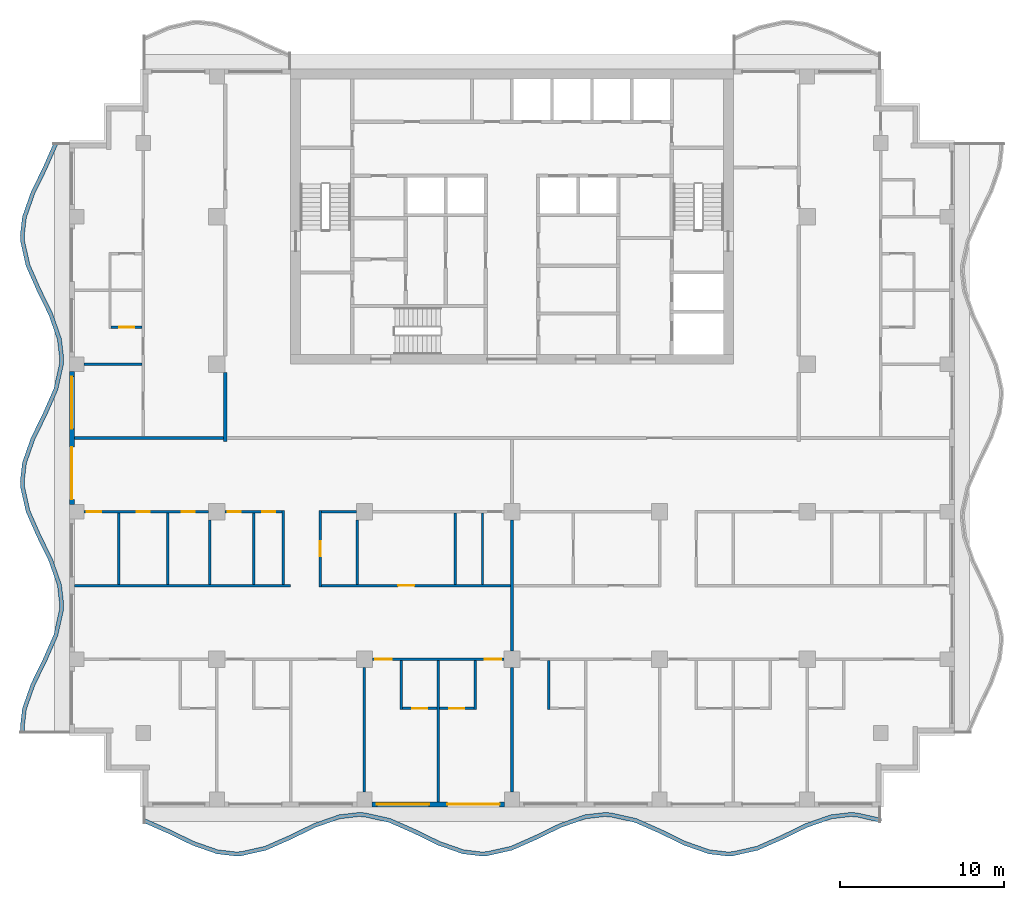
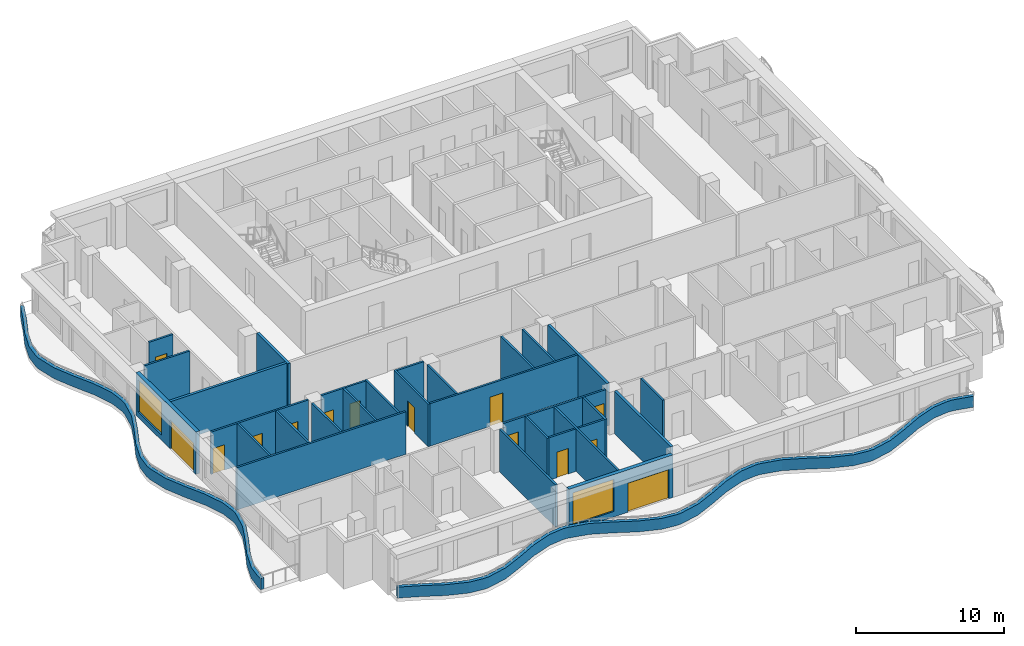
# One storey, part 2 of 11: 32 walls, 14 doors, 2 windows, 16 openings.
"""IFC4 building model written with IfcOpenShell, lengths in metres."""

from ifc_helpers import new_model, si_unit, direction, frame, frame_2d, origin, place, context, subcontext, project, spatial, polyline, rectangle, outline, extrude, material, layer, layer_set, type_object, element, fill, save


model = new_model("IFC4")

# Units and contexts
model_context = context("Model", 3, precision=1e-05, world=origin(), true_north=direction((0.0, 1.0)))
body_context = subcontext(model_context, "Body", "Model", "MODEL_VIEW")
ifc_project = project(units=[si_unit("LENGTHUNIT", "METRE"), si_unit("AREAUNIT", "SQUARE_METRE"), si_unit("VOLUMEUNIT", "CUBIC_METRE"), si_unit("PLANEANGLEUNIT", "RADIAN"), si_unit("MASSUNIT", "GRAM", prefix="KILO")], contexts=[model_context])

# Site, building, storey
site_placement = place(None, origin())
site = spatial("IfcSite", under=ifc_project, at=site_placement, CompositionType="ELEMENT")
building_placement = place(site_placement, origin())
building = spatial("IfcBuilding", under=site, at=building_placement, Name="Orbiselva Terraces", CompositionType="ELEMENT")
storey_placement = place(building_placement, frame((0.0, 0.0, 238.8)))
storey = spatial("IfcBuildingStorey", under=building, at=storey_placement, Name="L60", CompositionType="ELEMENT", Elevation=238.8)

# Walls
ifc_material_1 = material(Name="Concrete C40/50", Category="concrete")
ifc_layer_1 = layer(ifc_material_1, 0.25)
ifc_layer_set_1 = layer_set([ifc_layer_1], Name="Concrete C40/50")
wall_type_1 = type_object("IfcWallType", Name="ENV-PLANTER-250x900", PredefinedType="USERDEFINED", material=ifc_layer_set_1)
wall_1_placement = place(storey_placement, origin())
element("IfcWall", 1, at=wall_1_placement, inside=storey, type_object=wall_type_1, Name="Balcony planter L60 S", ObjectType="PLANTER", PredefinedType="USERDEFINED", context=body_context, shape_type="SweptSolid", body=[
    extrude(outline(polyline([(-22.5, -23.451472), (-21.0, -24.112279), (-19.5, -24.844789), (-18.0, -25.369208), (-16.875, -25.5), (-16.5, -25.485226), (-15.0, -25.148528), (-13.5, -24.487721), (-12.0, -23.755211), (-10.5, -23.230792), (-9.375, -23.1), (-9.0, -23.114774), (-7.5, -23.451472), (-6.0, -24.112279), (-4.5, -24.844789), (-3.0, -25.369208), (-1.875, -25.5), (-1.5, -25.485226), (0.0, -25.148528), (1.5, -24.487721), (3.0, -23.755211), (4.5, -23.230792), (5.625, -23.1), (6.0, -23.114774), (7.5, -23.451472), (9.0, -24.112279), (10.5, -24.844789), (12.0, -25.369208), (13.125, -25.5), (13.5, -25.485226), (15.0, -25.148528), (16.5, -24.487721), (18.0, -23.755211), (19.5, -23.230792), (20.625, -23.1), (21.0, -23.114774), (22.5, -23.451472), (22.554754, -23.207542), (21.032565, -22.865863), (20.615428, -22.849429), (19.443629, -22.985662), (17.90356, -23.524089), (16.394714, -24.260919), (14.921492, -24.90993), (13.467435, -25.236315), (13.134572, -25.249429), (12.056371, -25.124078), (10.59644, -24.613667), (9.105286, -23.885477), (7.578508, -23.212874), (6.032565, -22.865863), (5.615428, -22.849429), (4.443629, -22.985662), (2.90356, -23.524089), (1.394714, -24.260919), (-0.078508, -24.90993), (-1.532565, -25.236315), (-1.865428, -25.249429), (-2.943629, -25.124078), (-4.40356, -24.613667), (-5.894714, -23.885477), (-7.421492, -23.212874), (-8.967435, -22.865863), (-9.384572, -22.849429), (-10.556371, -22.985662), (-12.09644, -23.524089), (-13.605286, -24.260919), (-15.078508, -24.90993), (-16.532565, -25.236315), (-16.865428, -25.249429), (-17.943629, -25.124078), (-19.40356, -24.613667), (-20.894714, -23.885477), (-22.399212, -23.222689), (-22.5, -23.451472)])), origin(), (0.0, 0.0, 1.0), 0.9),
])
wall_2_placement = place(storey_placement, origin())
element("IfcWall", 2, at=wall_2_placement, inside=storey, type_object=wall_type_1, Name="Balcony planter L60 W", ObjectType="PLANTER", PredefinedType="USERDEFINED", context=body_context, shape_type="SweptSolid", body=[
    extrude(outline(polyline([(-27.951472, 18.0), (-28.612279, 16.5), (-29.344789, 15.0), (-29.869208, 13.5), (-30.0, 12.375), (-29.985226, 12.0), (-29.648528, 10.5), (-28.987721, 9.0), (-28.255211, 7.5), (-27.730792, 6.0), (-27.6, 4.875), (-27.614774, 4.5), (-27.951472, 3.0), (-28.612279, 1.5), (-29.344789, 0.0), (-29.869208, -1.5), (-30.0, -2.625), (-29.985226, -3.0), (-29.648528, -4.5), (-28.987721, -6.0), (-28.255211, -7.5), (-27.730792, -9.0), (-27.6, -10.125), (-27.614774, -10.5), (-27.951472, -12.0), (-28.612279, -13.5), (-29.344789, -15.0), (-29.869208, -16.5), (-30.0, -17.625), (-29.985226, -18.0), (-29.73542, -17.990158), (-29.749429, -17.634572), (-29.624078, -16.556371), (-29.113667, -15.09644), (-28.385477, -13.605286), (-27.712874, -12.078508), (-27.365863, -10.532565), (-27.349429, -10.115428), (-27.485662, -8.943629), (-28.024089, -7.40356), (-28.760919, -5.894714), (-29.40993, -4.421492), (-29.736315, -2.967435), (-29.749429, -2.634572), (-29.624078, -1.556371), (-29.113667, -0.09644), (-28.385477, 1.394714), (-27.712874, 2.921492), (-27.365863, 4.467435), (-27.349429, 4.884572), (-27.485662, 6.056371), (-28.024089, 7.59644), (-28.760919, 9.105286), (-29.40993, 10.578508), (-29.736315, 12.032565), (-29.749429, 12.365428), (-29.624078, 13.443629), (-29.113667, 14.90356), (-28.385477, 16.394714), (-27.722689, 17.899212), (-27.951472, 18.0)])), origin(), (0.0, 0.0, 1.0), 0.9),
])

# Wall, openings, door, window
ifc_material_2 = material(Name="Terracotta cladding on masonry backing", Category="masonry")
ifc_layer_2 = layer(ifc_material_2, 0.3)
ifc_layer_set_2 = layer_set([ifc_layer_2], Name="Terracotta cladding on masonry backing")
wall_type_2 = type_object("IfcWallType", Name="ENV-WALL-TERRACOTTA-300", PredefinedType="SOLIDWALL", material=ifc_layer_set_2)
wall_3_placement = place(storey_placement, frame((-0.45, -22.35, 0.0), z_axis=(0.0, 0.0, 1.0), x_axis=(-1.0, 0.0, 0.0)))
wall_3 = element("IfcWall", 3, at=wall_3_placement, inside=storey, type_object=wall_type_2, Name="Facade wall L60 S", PredefinedType="SOLIDWALL", context=body_context, shape_type="SweptSolid", body=[
    extrude(rectangle(XDim=8.1, YDim=0.3, at=frame_2d((4.05, 0.0))), origin(), (0.0, 0.0, 1.0), 3.5),
])
opening_1_placement = place(wall_3_placement, frame((4.6, 0.0, 0.45)))
opening_1 = element("IfcOpeningElement", 4, at=opening_1_placement, cuts=wall_3, Name="Opening WN17", PredefinedType="OPENING", context=body_context, shape_type="SweptSolid", body=[
    extrude(rectangle(XDim=3.2, YDim=2.65, at=frame_2d((1.6, 1.325))), frame((0.0, 0.16, 0.0), z_axis=(0.0, -1.0, 0.0), x_axis=(1.0, 0.0, 0.0)), (0.0, 0.0, 1.0), 0.32),
])
opening_2_placement = place(wall_3_placement, frame((0.3, 0.0, 0.0)))
opening_2 = element("IfcOpeningElement", 5, at=opening_2_placement, cuts=wall_3, Name="Opening Z5-A-E02", PredefinedType="OPENING", context=body_context, shape_type="SweptSolid", body=[
    extrude(rectangle(XDim=3.2, YDim=2.4, at=frame_2d((1.6, 1.2))), frame((0.0, 0.16, 0.0), z_axis=(0.0, -1.0, 0.0), x_axis=(1.0, 0.0, 0.0)), (0.0, 0.0, 1.0), 0.32),
])
ifc_material_3 = material(Name="Clear low-e glazing in aluminium frame", Category="aluminium")
door_type_1 = type_object("IfcDoorType", Name="BALCONY DOOR 3200 X 2400", OperationType="DOUBLE_DOOR_SLIDING", PredefinedType="DOOR", material=ifc_material_3)
door_1_placement = place(opening_2_placement, origin())
door_1 = element("IfcDoor", 6, at=door_1_placement, inside=storey, type_object=door_type_1, Name="Z5-A-E02", OperationType="SINGLE_SWING_LEFT", OverallHeight=2.4, OverallWidth=3.2, PredefinedType="DOOR", context=body_context, shape_type="SweptSolid", body=[
    extrude(rectangle(XDim=3.2, YDim=2.4, at=frame_2d((1.6, 1.2))), frame((0.0, 0.025, 0.0), z_axis=(0.0, -1.0, 0.0), x_axis=(1.0, 0.0, 0.0)), (0.0, 0.0, 1.0), 0.05),
])
fill(opening_2, door_1)
window_type = type_object("IfcWindowType", Name="WINDOW 3200 X 2650 S450", PartitioningType="TRIPLE_PANEL_VERTICAL", PredefinedType="WINDOW", material=ifc_material_3)
window_1_placement = place(opening_1_placement, origin())
window_1 = element("IfcWindow", 7, at=window_1_placement, inside=storey, type_object=window_type, Name="Window L60 S", OverallHeight=2.65, OverallWidth=3.2, PartitioningType="SINGLE_PANEL", PredefinedType="WINDOW", context=body_context, shape_type="SweptSolid", body=[
    extrude(rectangle(XDim=3.2, YDim=2.65, at=frame_2d((1.6, 1.325))), frame((0.0, 0.03, 0.0), z_axis=(0.0, -1.0, 0.0), x_axis=(1.0, 0.0, 0.0)), (0.0, 0.0, 1.0), 0.06),
])
fill(opening_1, window_1)

wall_4_placement = place(storey_placement, frame((-26.85, -4.05, 0.0), z_axis=(0.0, 0.0, 1.0), x_axis=(0.0, 1.0, 0.0)))
wall_4 = element("IfcWall", 8, at=wall_4_placement, inside=storey, type_object=wall_type_2, Name="Facade wall L60 W", PredefinedType="SOLIDWALL", context=body_context, shape_type="SweptSolid", body=[
    extrude(rectangle(XDim=8.1, YDim=0.3, at=frame_2d((4.05, 0.0))), origin(), (0.0, 0.0, 1.0), 3.5),
])
opening_3_placement = place(wall_4_placement, frame((4.6, 0.0, 0.45)))
opening_3 = element("IfcOpeningElement", 9, at=opening_3_placement, cuts=wall_4, Name="Opening WN17", PredefinedType="OPENING", context=body_context, shape_type="SweptSolid", body=[
    extrude(rectangle(XDim=3.2, YDim=2.65, at=frame_2d((1.6, 1.325))), frame((0.0, 0.16, 0.0), z_axis=(0.0, -1.0, 0.0), x_axis=(1.0, 0.0, 0.0)), (0.0, 0.0, 1.0), 0.32),
])
opening_4_placement = place(wall_4_placement, frame((0.3, 0.0, 0.0)))
opening_4 = element("IfcOpeningElement", 10, at=opening_4_placement, cuts=wall_4, Name="Opening Z5-A-E11", PredefinedType="OPENING", context=body_context, shape_type="SweptSolid", body=[
    extrude(rectangle(XDim=3.2, YDim=2.4, at=frame_2d((1.6, 1.2))), frame((0.0, 0.16, 0.0), z_axis=(0.0, -1.0, 0.0), x_axis=(1.0, 0.0, 0.0)), (0.0, 0.0, 1.0), 0.32),
])
door_2_placement = place(opening_4_placement, origin())
door_2 = element("IfcDoor", 11, at=door_2_placement, inside=storey, type_object=door_type_1, Name="Z5-A-E11", OperationType="SINGLE_SWING_LEFT", OverallHeight=2.4, OverallWidth=3.2, PredefinedType="DOOR", context=body_context, shape_type="SweptSolid", body=[
    extrude(rectangle(XDim=3.2, YDim=2.4, at=frame_2d((1.6, 1.2))), frame((0.0, 0.025, 0.0), z_axis=(0.0, -1.0, 0.0), x_axis=(1.0, 0.0, 0.0)), (0.0, 0.0, 1.0), 0.05),
])
fill(opening_4, door_2)
window_2_placement = place(opening_3_placement, origin())
window_2 = element("IfcWindow", 12, at=window_2_placement, inside=storey, type_object=window_type, Name="Window L60 W", OverallHeight=2.65, OverallWidth=3.2, PartitioningType="SINGLE_PANEL", PredefinedType="WINDOW", context=body_context, shape_type="SweptSolid", body=[
    extrude(rectangle(XDim=3.2, YDim=2.65, at=frame_2d((1.6, 1.325))), frame((0.0, 0.03, 0.0), z_axis=(0.0, -1.0, 0.0), x_axis=(1.0, 0.0, 0.0)), (0.0, 0.0, 1.0), 0.06),
])
fill(opening_3, window_2)

# Wall
ifc_material_4 = material(Name="Plasterboard on steel stud partition", Category="steel")
ifc_layer_3 = layer(ifc_material_4, 0.2)
ifc_layer_set_3 = layer_set([ifc_layer_3], Name="Plasterboard on steel stud partition")
wall_type_3 = type_object("IfcWallType", Name="UNIT-ENTRANCE-WALL-200", PredefinedType="PARTITIONING", material=ifc_layer_set_3)
wall_5_placement = place(storey_placement, frame((-17.5, -0.2, 0.0), z_axis=(0.0, 0.0, 1.0), x_axis=(0.0, 1.0, 0.0)))
element("IfcWall", 13, at=wall_5_placement, inside=storey, type_object=wall_type_3, Name="PARTITION L60-050", PredefinedType="PARTITIONING", context=body_context, shape_type="SweptSolid", body=[
    extrude(rectangle(XDim=4.2, YDim=0.2, at=frame_2d((2.1, 0.0))), origin(), (0.0, 0.0, 1.0), 3.5),
])

# Wall, opening, door
ifc_layer_4 = layer(ifc_material_4, 0.15)
ifc_layer_set_4 = layer_set([ifc_layer_4], Name="Plasterboard on steel stud partition")
wall_type_4 = type_object("IfcWallType", Name="UNIT-PARTITION-150", PredefinedType="PARTITIONING", material=ifc_layer_set_4)
wall_6_placement = place(storey_placement, frame((-6.675, -16.5, 0.0), z_axis=(0.0, 0.0, 1.0), x_axis=(1.0, 0.0, 0.0)))
wall_6 = element("IfcWall", 14, at=wall_6_placement, inside=storey, type_object=wall_type_4, Name="PARTITION L60-003", PredefinedType="PARTITIONING", context=body_context, shape_type="SweptSolid", body=[
    extrude(rectangle(XDim=2.1, YDim=0.15, at=frame_2d((1.05, 0.0))), origin(), (0.0, 0.0, 1.0), 3.5),
])
opening_5_placement = place(wall_6_placement, frame((0.6, 0.0, 0.0)))
opening_5 = element("IfcOpeningElement", 15, at=opening_5_placement, cuts=wall_6, Name="Opening Z5-A-29", PredefinedType="OPENING", context=body_context, shape_type="SweptSolid", body=[
    extrude(rectangle(XDim=0.9, YDim=2.1, at=frame_2d((0.45, 1.05))), frame((0.0, 0.085, 0.0), z_axis=(0.0, -1.0, 0.0), x_axis=(1.0, 0.0, 0.0)), (0.0, 0.0, 1.0), 0.17),
])
ifc_material_5 = material(Name="Painted timber door leaf", Category="wood")
door_type_2 = type_object("IfcDoorType", Name="BATH DOOR 900", OperationType="NOTDEFINED", PredefinedType="DOOR", material=ifc_material_5)
door_3_placement = place(opening_5_placement, origin())
door_3 = element("IfcDoor", 16, at=door_3_placement, inside=storey, type_object=door_type_2, Name="Z5-A-29", OperationType="SINGLE_SWING_LEFT", OverallHeight=2.1, OverallWidth=0.9, PredefinedType="DOOR", context=body_context, shape_type="SweptSolid", body=[
    extrude(rectangle(XDim=0.9, YDim=2.1, at=frame_2d((0.45, 1.05))), frame((0.0, 0.025, 0.0), z_axis=(0.0, -1.0, 0.0), x_axis=(1.0, 0.0, 0.0)), (0.0, 0.0, 1.0), 0.05),
])
fill(opening_5, door_3)

wall_7_placement = place(storey_placement, frame((-4.425, -16.5, 0.0), z_axis=(0.0, 0.0, 1.0), x_axis=(1.0, 0.0, 0.0)))
wall_7 = element("IfcWall", 17, at=wall_7_placement, inside=storey, type_object=wall_type_4, Name="PARTITION L60-004", PredefinedType="PARTITIONING", context=body_context, shape_type="SweptSolid", body=[
    extrude(rectangle(XDim=2.1, YDim=0.15, at=frame_2d((1.05, 0.0))), origin(), (0.0, 0.0, 1.0), 3.5),
])
opening_6_placement = place(wall_7_placement, frame((0.6, 0.0, 0.0)))
opening_6 = element("IfcOpeningElement", 18, at=opening_6_placement, cuts=wall_7, Name="Opening Z5-A-27", PredefinedType="OPENING", context=body_context, shape_type="SweptSolid", body=[
    extrude(rectangle(XDim=0.9, YDim=2.1, at=frame_2d((0.45, 1.05))), frame((0.0, 0.085, 0.0), z_axis=(0.0, -1.0, 0.0), x_axis=(1.0, 0.0, 0.0)), (0.0, 0.0, 1.0), 0.17),
])
door_4_placement = place(opening_6_placement, origin())
door_4 = element("IfcDoor", 19, at=door_4_placement, inside=storey, type_object=door_type_2, Name="Z5-A-27", OperationType="SINGLE_SWING_RIGHT", OverallHeight=2.1, OverallWidth=0.9, PredefinedType="DOOR", context=body_context, shape_type="SweptSolid", body=[
    extrude(rectangle(XDim=0.9, YDim=2.1, at=frame_2d((0.45, 1.05))), frame((0.0, 0.025, 0.0), z_axis=(0.0, -1.0, 0.0), x_axis=(1.0, 0.0, 0.0)), (0.0, 0.0, 1.0), 0.05),
])
fill(opening_6, door_4)

# Wall, openings, doors
wall_8_placement = place(storey_placement, frame((-0.5, -13.5, 0.0), z_axis=(0.0, 0.0, 1.0), x_axis=(-1.0, 0.0, 0.0)))
wall_8 = element("IfcWall", 20, at=wall_8_placement, inside=storey, type_object=wall_type_4, Name="PARTITION L60-011", PredefinedType="PARTITIONING", context=body_context, shape_type="SweptSolid", body=[
    extrude(rectangle(XDim=8.0, YDim=0.15, at=frame_2d((4.0, 0.0))), origin(), (0.0, 0.0, 1.0), 3.5),
])
opening_7_placement = place(wall_8_placement, frame((0.15, 0.0, 0.0)))
opening_7 = element("IfcOpeningElement", 21, at=opening_7_placement, cuts=wall_8, Name="Opening Z5-A-26", PredefinedType="OPENING", context=body_context, shape_type="SweptSolid", body=[
    extrude(rectangle(XDim=1.0, YDim=2.4, at=frame_2d((0.5, 1.2))), frame((0.0, 0.085, 0.0), z_axis=(0.0, -1.0, 0.0), x_axis=(1.0, 0.0, 0.0)), (0.0, 0.0, 1.0), 0.17),
])
opening_8_placement = place(wall_8_placement, frame((6.85, 0.0, 0.0)))
opening_8 = element("IfcOpeningElement", 22, at=opening_8_placement, cuts=wall_8, Name="Opening Z5-A-28", PredefinedType="OPENING", context=body_context, shape_type="SweptSolid", body=[
    extrude(rectangle(XDim=1.0, YDim=2.4, at=frame_2d((0.5, 1.2))), frame((0.0, 0.085, 0.0), z_axis=(0.0, -1.0, 0.0), x_axis=(1.0, 0.0, 0.0)), (0.0, 0.0, 1.0), 0.17),
])
door_type_3 = type_object("IfcDoorType", Name="ROOM DOOR 1000", OperationType="NOTDEFINED", PredefinedType="DOOR", material=ifc_material_5)
door_5_placement = place(opening_7_placement, origin())
door_5 = element("IfcDoor", 23, at=door_5_placement, inside=storey, type_object=door_type_3, Name="Z5-A-26", OperationType="SINGLE_SWING_LEFT", OverallHeight=2.4, OverallWidth=1.0, PredefinedType="DOOR", context=body_context, shape_type="SweptSolid", body=[
    extrude(rectangle(XDim=1.0, YDim=2.4, at=frame_2d((0.5, 1.2))), frame((0.0, 0.025, 0.0), z_axis=(0.0, -1.0, 0.0), x_axis=(1.0, 0.0, 0.0)), (0.0, 0.0, 1.0), 0.05),
])
fill(opening_7, door_5)
door_6_placement = place(opening_8_placement, origin())
door_6 = element("IfcDoor", 24, at=door_6_placement, inside=storey, type_object=door_type_3, Name="Z5-A-28", OperationType="SINGLE_SWING_RIGHT", OverallHeight=2.4, OverallWidth=1.0, PredefinedType="DOOR", context=body_context, shape_type="SweptSolid", body=[
    extrude(rectangle(XDim=1.0, YDim=2.4, at=frame_2d((0.5, 1.2))), frame((0.0, 0.025, 0.0), z_axis=(0.0, -1.0, 0.0), x_axis=(1.0, 0.0, 0.0)), (0.0, 0.0, 1.0), 0.05),
])
fill(opening_8, door_6)

# Wall
wall_9_placement = place(storey_placement, frame((-26.7, -9.0, 0.0), z_axis=(0.0, 0.0, 1.0), x_axis=(1.0, 0.0, 0.0)))
element("IfcWall", 25, at=wall_9_placement, inside=storey, type_object=wall_type_4, Name="PARTITION L60-015", PredefinedType="PARTITIONING", context=body_context, shape_type="SweptSolid", body=[
    extrude(rectangle(XDim=13.2, YDim=0.15, at=frame_2d((6.6, 0.0))), origin(), (0.0, 0.0, 1.0), 3.5),
])

# Wall, opening, door
wall_10_placement = place(storey_placement, frame((-11.625, -9.0, 0.0), z_axis=(0.0, 0.0, 1.0), x_axis=(1.0, 0.0, 0.0)))
wall_10 = element("IfcWall", 26, at=wall_10_placement, inside=storey, type_object=wall_type_4, Name="PARTITION L60-016", PredefinedType="PARTITIONING", context=body_context, shape_type="SweptSolid", body=[
    extrude(rectangle(XDim=11.525, YDim=0.15, at=frame_2d((5.7625, 0.0))), origin(), (0.0, 0.0, 1.0), 3.5),
])
opening_9_placement = place(wall_10_placement, frame((4.675, 0.0, 0.0)))
opening_9 = element("IfcOpeningElement", 27, at=opening_9_placement, cuts=wall_10, Name="Opening Z5-A-19", PredefinedType="OPENING", context=body_context, shape_type="SweptSolid", body=[
    extrude(rectangle(XDim=1.0, YDim=2.4, at=frame_2d((0.5, 1.2))), frame((0.0, 0.085, 0.0), z_axis=(0.0, -1.0, 0.0), x_axis=(1.0, 0.0, 0.0)), (0.0, 0.0, 1.0), 0.17),
])
door_7_placement = place(opening_9_placement, origin())
door_7 = element("IfcDoor", 28, at=door_7_placement, inside=storey, type_object=door_type_3, Name="Z5-A-19", OperationType="SINGLE_SWING_LEFT", OverallHeight=2.4, OverallWidth=1.0, PredefinedType="DOOR", context=body_context, shape_type="SweptSolid", body=[
    extrude(rectangle(XDim=1.0, YDim=2.4, at=frame_2d((0.5, 1.2))), frame((0.0, 0.025, 0.0), z_axis=(0.0, -1.0, 0.0), x_axis=(1.0, 0.0, 0.0)), (0.0, 0.0, 1.0), 0.05),
])
fill(opening_9, door_7)

# Wall, openings, doors
wall_11_placement = place(storey_placement, frame((-18.5, -4.5, 0.0), z_axis=(0.0, 0.0, 1.0), x_axis=(-1.0, 0.0, 0.0)))
wall_11 = element("IfcWall", 29, at=wall_11_placement, inside=storey, type_object=wall_type_4, Name="PARTITION L60-019", PredefinedType="PARTITIONING", context=body_context, shape_type="SweptSolid", body=[
    extrude(rectangle(XDim=7.6, YDim=0.15, at=frame_2d((3.8, 0.0))), origin(), (0.0, 0.0, 1.0), 3.5),
])
opening_10_placement = place(wall_11_placement, frame((0.85, 0.0, 0.0)))
opening_10 = element("IfcOpeningElement", 30, at=opening_10_placement, cuts=wall_11, Name="Opening Z5-A-23", PredefinedType="OPENING", context=body_context, shape_type="SweptSolid", body=[
    extrude(rectangle(XDim=0.8, YDim=2.0, at=frame_2d((0.4, 1.0))), frame((0.0, 0.085, 0.0), z_axis=(0.0, -1.0, 0.0), x_axis=(1.0, 0.0, 0.0)), (0.0, 0.0, 1.0), 0.17),
])
opening_11_placement = place(wall_11_placement, frame((3.6, 0.0, 0.0)))
opening_11 = element("IfcOpeningElement", 31, at=opening_11_placement, cuts=wall_11, Name="Opening Z5-A-24", PredefinedType="OPENING", context=body_context, shape_type="SweptSolid", body=[
    extrude(rectangle(XDim=0.8, YDim=2.0, at=frame_2d((0.4, 1.0))), frame((0.0, 0.085, 0.0), z_axis=(0.0, -1.0, 0.0), x_axis=(1.0, 0.0, 0.0)), (0.0, 0.0, 1.0), 0.17),
])
opening_12_placement = place(wall_11_placement, frame((6.55, 0.0, 0.0)))
opening_12 = element("IfcOpeningElement", 32, at=opening_12_placement, cuts=wall_11, Name="Opening Z5-A-25", PredefinedType="OPENING", context=body_context, shape_type="SweptSolid", body=[
    extrude(rectangle(XDim=0.9, YDim=2.1, at=frame_2d((0.45, 1.05))), frame((0.0, 0.085, 0.0), z_axis=(0.0, -1.0, 0.0), x_axis=(1.0, 0.0, 0.0)), (0.0, 0.0, 1.0), 0.17),
])
door_type_4 = type_object("IfcDoorType", Name="SERVICE DOOR 900", OperationType="NOTDEFINED", PredefinedType="DOOR", material=ifc_material_5)
door_8_placement = place(opening_12_placement, origin())
door_8 = element("IfcDoor", 33, at=door_8_placement, inside=storey, type_object=door_type_4, Name="Z5-A-25", OperationType="SINGLE_SWING_RIGHT", OverallHeight=2.1, OverallWidth=0.9, PredefinedType="DOOR", context=body_context, shape_type="SweptSolid", body=[
    extrude(rectangle(XDim=0.9, YDim=2.1, at=frame_2d((0.45, 1.05))), frame((0.0, 0.025, 0.0), z_axis=(0.0, -1.0, 0.0), x_axis=(1.0, 0.0, 0.0)), (0.0, 0.0, 1.0), 0.05),
])
fill(opening_12, door_8)
door_type_5 = type_object("IfcDoorType", Name="STORE DOOR 800", OperationType="NOTDEFINED", PredefinedType="DOOR", material=ifc_material_5)
door_9_placement = place(opening_10_placement, origin())
door_9 = element("IfcDoor", 34, at=door_9_placement, inside=storey, type_object=door_type_5, Name="Z5-A-23", OperationType="SINGLE_SWING_LEFT", OverallHeight=2.0, OverallWidth=0.8, PredefinedType="DOOR", context=body_context, shape_type="SweptSolid", body=[
    extrude(rectangle(XDim=0.8, YDim=2.0, at=frame_2d((0.4, 1.0))), frame((0.0, 0.025, 0.0), z_axis=(0.0, -1.0, 0.0), x_axis=(1.0, 0.0, 0.0)), (0.0, 0.0, 1.0), 0.05),
])
fill(opening_10, door_9)
door_10_placement = place(opening_11_placement, origin())
door_10 = element("IfcDoor", 35, at=door_10_placement, inside=storey, type_object=door_type_5, Name="Z5-A-24", OperationType="SINGLE_SWING_RIGHT", OverallHeight=2.0, OverallWidth=0.8, PredefinedType="DOOR", context=body_context, shape_type="SweptSolid", body=[
    extrude(rectangle(XDim=0.8, YDim=2.0, at=frame_2d((0.4, 1.0))), frame((0.0, 0.025, 0.0), z_axis=(0.0, -1.0, 0.0), x_axis=(1.0, 0.0, 0.0)), (0.0, 0.0, 1.0), 0.05),
])
fill(opening_11, door_10)

wall_12_placement = place(storey_placement, frame((-14.025, -4.5, 0.0), z_axis=(0.0, 0.0, 1.0), x_axis=(-1.0, 0.0, 0.0)))
wall_12 = element("IfcWall", 36, at=wall_12_placement, inside=storey, type_object=wall_type_4, Name="PARTITION L60-020", PredefinedType="PARTITIONING", context=body_context, shape_type="SweptSolid", body=[
    extrude(rectangle(XDim=3.475, YDim=0.15, at=frame_2d((1.7375, 0.0))), origin(), (0.0, 0.0, 1.0), 3.5),
])
opening_13_placement = place(wall_12_placement, frame((0.425, 0.0, 0.0)))
opening_13 = element("IfcOpeningElement", 37, at=opening_13_placement, cuts=wall_12, Name="Opening Z5-A-21", PredefinedType="OPENING", context=body_context, shape_type="SweptSolid", body=[
    extrude(rectangle(XDim=0.8, YDim=2.0, at=frame_2d((0.4, 1.0))), frame((0.0, 0.085, 0.0), z_axis=(0.0, -1.0, 0.0), x_axis=(1.0, 0.0, 0.0)), (0.0, 0.0, 1.0), 0.17),
])
opening_14_placement = place(wall_12_placement, frame((2.525, 0.0, 0.0)))
opening_14 = element("IfcOpeningElement", 38, at=opening_14_placement, cuts=wall_12, Name="Opening Z5-A-22", PredefinedType="OPENING", context=body_context, shape_type="SweptSolid", body=[
    extrude(rectangle(XDim=0.8, YDim=2.0, at=frame_2d((0.4, 1.0))), frame((0.0, 0.085, 0.0), z_axis=(0.0, -1.0, 0.0), x_axis=(1.0, 0.0, 0.0)), (0.0, 0.0, 1.0), 0.17),
])
door_11_placement = place(opening_13_placement, origin())
door_11 = element("IfcDoor", 39, at=door_11_placement, inside=storey, type_object=door_type_5, Name="Z5-A-21", OperationType="SINGLE_SWING_LEFT", OverallHeight=2.0, OverallWidth=0.8, PredefinedType="DOOR", context=body_context, shape_type="SweptSolid", body=[
    extrude(rectangle(XDim=0.8, YDim=2.0, at=frame_2d((0.4, 1.0))), frame((0.0, 0.025, 0.0), z_axis=(0.0, -1.0, 0.0), x_axis=(1.0, 0.0, 0.0)), (0.0, 0.0, 1.0), 0.05),
])
fill(opening_13, door_11)
door_12_placement = place(opening_14_placement, origin())
door_12 = element("IfcDoor", 40, at=door_12_placement, inside=storey, type_object=door_type_5, Name="Z5-A-22", OperationType="SINGLE_SWING_RIGHT", OverallHeight=2.0, OverallWidth=0.8, PredefinedType="DOOR", context=body_context, shape_type="SweptSolid", body=[
    extrude(rectangle(XDim=0.8, YDim=2.0, at=frame_2d((0.4, 1.0))), frame((0.0, 0.025, 0.0), z_axis=(0.0, -1.0, 0.0), x_axis=(1.0, 0.0, 0.0)), (0.0, 0.0, 1.0), 0.05),
])
fill(opening_14, door_12)

# Walls
wall_13_placement = place(storey_placement, frame((-11.625, -4.5, 0.0), z_axis=(0.0, 0.0, 1.0), x_axis=(1.0, 0.0, 0.0)))
element("IfcWall", 41, at=wall_13_placement, inside=storey, type_object=wall_type_4, Name="PARTITION L60-021", PredefinedType="PARTITIONING", context=body_context, shape_type="SweptSolid", body=[
    extrude(rectangle(XDim=2.125, YDim=0.15, at=frame_2d((1.0625, 0.0))), origin(), (0.0, 0.0, 1.0), 3.5),
])
wall_14_placement = place(storey_placement, frame((-26.1, 4.5, 0.0), z_axis=(0.0, 0.0, 1.0), x_axis=(1.0, 0.0, 0.0)))
element("IfcWall", 42, at=wall_14_placement, inside=storey, type_object=wall_type_4, Name="PARTITION L60-029", PredefinedType="PARTITIONING", context=body_context, shape_type="SweptSolid", body=[
    extrude(rectangle(XDim=3.525, YDim=0.15, at=frame_2d((1.7625, 0.0))), origin(), (0.0, 0.0, 1.0), 3.5),
])

# Wall, opening, door
wall_15_placement = place(storey_placement, frame((-24.45, 6.75, 0.0), z_axis=(0.0, 0.0, 1.0), x_axis=(1.0, 0.0, 0.0)))
wall_15 = element("IfcWall", 43, at=wall_15_placement, inside=storey, type_object=wall_type_4, Name="PARTITION L60-031", PredefinedType="PARTITIONING", context=body_context, shape_type="SweptSolid", body=[
    extrude(rectangle(XDim=1.875, YDim=0.15, at=frame_2d((0.9375, 0.0))), origin(), (0.0, 0.0, 1.0), 3.5),
])
opening_15_placement = place(wall_15_placement, frame((0.5, 0.0, 0.0)))
opening_15 = element("IfcOpeningElement", 44, at=opening_15_placement, cuts=wall_15, Name="Opening Z5-A-05", PredefinedType="OPENING", context=body_context, shape_type="SweptSolid", body=[
    extrude(rectangle(XDim=0.9, YDim=2.1, at=frame_2d((0.45, 1.05))), frame((0.0, 0.085, 0.0), z_axis=(0.0, -1.0, 0.0), x_axis=(1.0, 0.0, 0.0)), (0.0, 0.0, 1.0), 0.17),
])
door_13_placement = place(opening_15_placement, origin())
door_13 = element("IfcDoor", 45, at=door_13_placement, inside=storey, type_object=door_type_2, Name="Z5-A-05", OperationType="SINGLE_SWING_RIGHT", OverallHeight=2.1, OverallWidth=0.9, PredefinedType="DOOR", context=body_context, shape_type="SweptSolid", body=[
    extrude(rectangle(XDim=0.9, YDim=2.1, at=frame_2d((0.45, 1.05))), frame((0.0, 0.025, 0.0), z_axis=(0.0, -1.0, 0.0), x_axis=(1.0, 0.0, 0.0)), (0.0, 0.0, 1.0), 0.05),
])
fill(opening_15, door_13)

# Walls
for number, where, z_axis, x_axis, name in (
    (46, (-24.0, -8.925, 0.0), (0.0, 0.0, 1.0), (0.0, 1.0, 0.0), "PARTITION L60-043"),
    (47, (-21.0, -8.925, 0.0), (0.0, 0.0, 1.0), (0.0, 1.0, 0.0), "PARTITION L60-046"),
):
    element("IfcWall", number, at=place(storey_placement, frame(where, z_axis=z_axis, x_axis=x_axis)), inside=storey, type_object=wall_type_4, Name=name, PredefinedType="PARTITIONING", context=body_context, shape_type="SweptSolid", body=[
        extrude(rectangle(XDim=4.35, YDim=0.15, at=frame_2d((2.175, 0.0))), origin(), (0.0, 0.0, 1.0), 3.5),
    ])
wall_16_placement = place(storey_placement, frame((-18.45, -8.925, 0.0), z_axis=(0.0, 0.0, 1.0), x_axis=(0.0, 1.0, 0.0)))
element("IfcWall", 48, at=wall_16_placement, inside=storey, type_object=wall_type_4, Name="PARTITION L60-048", PredefinedType="PARTITIONING", context=body_context, shape_type="SweptSolid", body=[
    extrude(rectangle(XDim=3.925, YDim=0.15, at=frame_2d((1.9625, 0.0))), origin(), (0.0, 0.0, 1.0), 3.5),
])
wall_17_placement = place(storey_placement, frame((-15.75, -8.925, 0.0), z_axis=(0.0, 0.0, 1.0), x_axis=(0.0, 1.0, 0.0)))
element("IfcWall", 49, at=wall_17_placement, inside=storey, type_object=wall_type_4, Name="PARTITION L60-054", PredefinedType="PARTITIONING", context=body_context, shape_type="SweptSolid", body=[
    extrude(rectangle(XDim=4.35, YDim=0.15, at=frame_2d((2.175, 0.0))), origin(), (0.0, 0.0, 1.0), 3.5),
])
wall_18_placement = place(storey_placement, frame((-13.95, -8.925, 0.0), z_axis=(0.0, 0.0, 1.0), x_axis=(0.0, 1.0, 0.0)))
element("IfcWall", 50, at=wall_18_placement, inside=storey, type_object=wall_type_4, Name="PARTITION L60-055", PredefinedType="PARTITIONING", context=body_context, shape_type="SweptSolid", body=[
    extrude(rectangle(XDim=4.5, YDim=0.15, at=frame_2d((2.25, 0.0))), origin(), (0.0, 0.0, 1.0), 3.5),
])

# Wall, opening, door
wall_19_placement = place(storey_placement, frame((-11.7, -4.425, 0.0), z_axis=(0.0, 0.0, 1.0), x_axis=(0.0, -1.0, 0.0)))
wall_19 = element("IfcWall", 51, at=wall_19_placement, inside=storey, type_object=wall_type_4, Name="PARTITION L60-057", PredefinedType="PARTITIONING", context=body_context, shape_type="SweptSolid", body=[
    extrude(rectangle(XDim=4.65, YDim=0.15, at=frame_2d((2.325, 0.0))), origin(), (0.0, 0.0, 1.0), 3.5),
])
opening_16_placement = place(wall_19_placement, frame((1.875, 0.0, 0.0)))
opening_16 = element("IfcOpeningElement", 52, at=opening_16_placement, cuts=wall_19, Name="Opening Z5-A-20", PredefinedType="OPENING", context=body_context, shape_type="SweptSolid", body=[
    extrude(rectangle(XDim=0.9, YDim=2.1, at=frame_2d((0.45, 1.05))), frame((0.0, 0.085, 0.0), z_axis=(0.0, -1.0, 0.0), x_axis=(1.0, 0.0, 0.0)), (0.0, 0.0, 1.0), 0.17),
])
door_14_placement = place(opening_16_placement, origin())
door_14 = element("IfcDoor", 53, at=door_14_placement, inside=storey, type_object=door_type_2, Name="Z5-A-20", OperationType="SINGLE_SWING_RIGHT", OverallHeight=2.1, OverallWidth=0.9, PredefinedType="DOOR", context=body_context, shape_type="SweptSolid", body=[
    extrude(rectangle(XDim=0.9, YDim=2.1, at=frame_2d((0.45, 1.05))), frame((0.0, 0.025, 0.0), z_axis=(0.0, -1.0, 0.0), x_axis=(1.0, 0.0, 0.0)), (0.0, 0.0, 1.0), 0.05),
])
fill(opening_16, door_14)

# Walls
wall_20_placement = place(storey_placement, frame((-9.45, -8.925, 0.0), z_axis=(0.0, 0.0, 1.0), x_axis=(0.0, 1.0, 0.0)))
element("IfcWall", 54, at=wall_20_placement, inside=storey, type_object=wall_type_4, Name="PARTITION L60-058", PredefinedType="PARTITIONING", context=body_context, shape_type="SweptSolid", body=[
    extrude(rectangle(XDim=3.925, YDim=0.15, at=frame_2d((1.9625, 0.0))), origin(), (0.0, 0.0, 1.0), 3.5),
])
wall_21_placement = place(storey_placement, frame((-9.0, -21.6, 0.0), z_axis=(0.0, 0.0, 1.0), x_axis=(0.0, 1.0, 0.0)))
element("IfcWall", 55, at=wall_21_placement, inside=storey, type_object=wall_type_4, Name="PARTITION L60-059", PredefinedType="PARTITIONING", context=body_context, shape_type="SweptSolid", body=[
    extrude(rectangle(XDim=7.6, YDim=0.15, at=frame_2d((3.8, 0.0))), origin(), (0.0, 0.0, 1.0), 3.5),
])
wall_22_placement = place(storey_placement, frame((-6.75, -16.575, 0.0), z_axis=(0.0, 0.0, 1.0), x_axis=(0.0, 1.0, 0.0)))
element("IfcWall", 56, at=wall_22_placement, inside=storey, type_object=wall_type_4, Name="PARTITION L60-060", PredefinedType="PARTITIONING", context=body_context, shape_type="SweptSolid", body=[
    extrude(rectangle(XDim=3.0, YDim=0.15, at=frame_2d((1.5, 0.0))), origin(), (0.0, 0.0, 1.0), 3.5),
])
wall_23_placement = place(storey_placement, frame((-4.5, -22.2, 0.0), z_axis=(0.0, 0.0, 1.0), x_axis=(0.0, 1.0, 0.0)))
element("IfcWall", 57, at=wall_23_placement, inside=storey, type_object=wall_type_4, Name="PARTITION L60-061", PredefinedType="PARTITIONING", context=body_context, shape_type="SweptSolid", body=[
    extrude(rectangle(XDim=8.625, YDim=0.15, at=frame_2d((4.3125, 0.0))), origin(), (0.0, 0.0, 1.0), 3.5),
])
wall_24_placement = place(storey_placement, frame((-3.45, -8.925, 0.0), z_axis=(0.0, 0.0, 1.0), x_axis=(0.0, 1.0, 0.0)))
element("IfcWall", 58, at=wall_24_placement, inside=storey, type_object=wall_type_4, Name="PARTITION L60-062", PredefinedType="PARTITIONING", context=body_context, shape_type="SweptSolid", body=[
    extrude(rectangle(XDim=4.35, YDim=0.15, at=frame_2d((2.175, 0.0))), origin(), (0.0, 0.0, 1.0), 3.5),
])
wall_25_placement = place(storey_placement, frame((-2.25, -16.575, 0.0), z_axis=(0.0, 0.0, 1.0), x_axis=(0.0, 1.0, 0.0)))
element("IfcWall", 59, at=wall_25_placement, inside=storey, type_object=wall_type_4, Name="PARTITION L60-063", PredefinedType="PARTITIONING", context=body_context, shape_type="SweptSolid", body=[
    extrude(rectangle(XDim=3.0, YDim=0.15, at=frame_2d((1.5, 0.0))), origin(), (0.0, 0.0, 1.0), 3.5),
])
wall_26_placement = place(storey_placement, frame((-1.8, -8.925, 0.0), z_axis=(0.0, 0.0, 1.0), x_axis=(0.0, 1.0, 0.0)))
element("IfcWall", 60, at=wall_26_placement, inside=storey, type_object=wall_type_4, Name="PARTITION L60-064", PredefinedType="PARTITIONING", context=body_context, shape_type="SweptSolid", body=[
    extrude(rectangle(XDim=4.35, YDim=0.15, at=frame_2d((2.175, 0.0))), origin(), (0.0, 0.0, 1.0), 3.5),
])
wall_27_placement = place(storey_placement, frame((2.25, -16.575, 0.0), z_axis=(0.0, 0.0, 1.0), x_axis=(0.0, 1.0, 0.0)))
element("IfcWall", 61, at=wall_27_placement, inside=storey, type_object=wall_type_4, Name="PARTITION L60-068", PredefinedType="PARTITIONING", context=body_context, shape_type="SweptSolid", body=[
    extrude(rectangle(XDim=3.0, YDim=0.15, at=frame_2d((1.5, 0.0))), origin(), (0.0, 0.0, 1.0), 3.5),
])
ifc_layer_5 = layer(ifc_material_4, 0.2)
ifc_layer_set_5 = layer_set([ifc_layer_5], Name="Plasterboard on steel stud partition")
wall_type_5 = type_object("IfcWallType", Name="UNIT-PARTY-WALL-200", PredefinedType="PARTITIONING", material=ifc_layer_set_5)
wall_28_placement = place(storey_placement, frame((-26.7, 0.0, 0.0), z_axis=(0.0, 0.0, 1.0), x_axis=(1.0, 0.0, 0.0)))
element("IfcWall", 62, at=wall_28_placement, inside=storey, type_object=wall_type_5, Name="PARTITION L60-027", PredefinedType="PARTITIONING", context=body_context, shape_type="SweptSolid", body=[
    extrude(rectangle(XDim=9.1, YDim=0.2, at=frame_2d((4.55, 0.0))), origin(), (0.0, 0.0, 1.0), 3.5),
])
wall_29_placement = place(storey_placement, frame((0.0, -21.6, 0.0), z_axis=(0.0, 0.0, 1.0), x_axis=(0.0, 1.0, 0.0)))
element("IfcWall", 63, at=wall_29_placement, inside=storey, type_object=wall_type_5, Name="PARTITION L60-065", PredefinedType="PARTITIONING", context=body_context, shape_type="SweptSolid", body=[
    extrude(rectangle(XDim=7.6, YDim=0.2, at=frame_2d((3.8, 0.0))), origin(), (0.0, 0.0, 1.0), 3.5),
])
wall_30_placement = place(storey_placement, frame((0.0, -13.0, 0.0), z_axis=(0.0, 0.0, 1.0), x_axis=(0.0, 1.0, 0.0)))
element("IfcWall", 64, at=wall_30_placement, inside=storey, type_object=wall_type_5, Name="PARTITION L60-066", PredefinedType="PARTITIONING", context=body_context, shape_type="SweptSolid", body=[
    extrude(rectangle(XDim=8.0, YDim=0.2, at=frame_2d((4.0, 0.0))), origin(), (0.0, 0.0, 1.0), 3.5),
])

save(model, "model.ifc")
